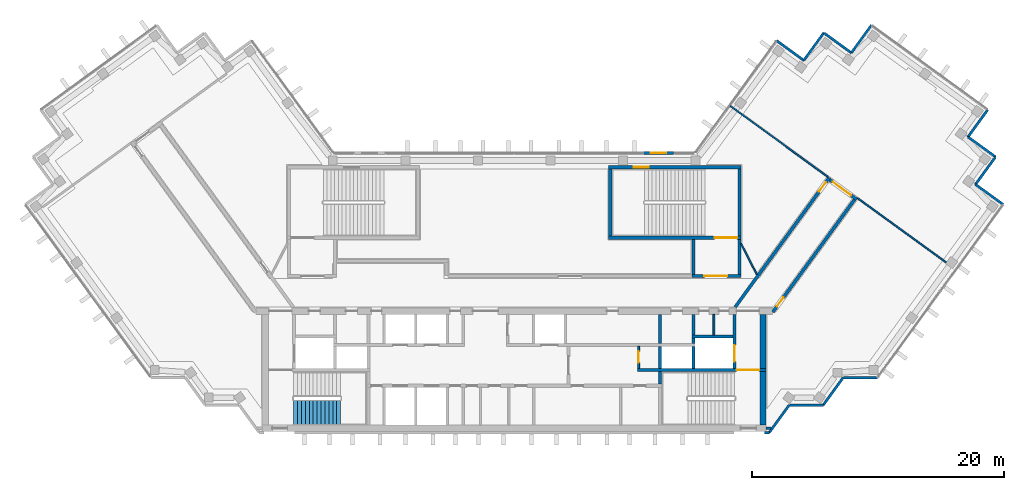
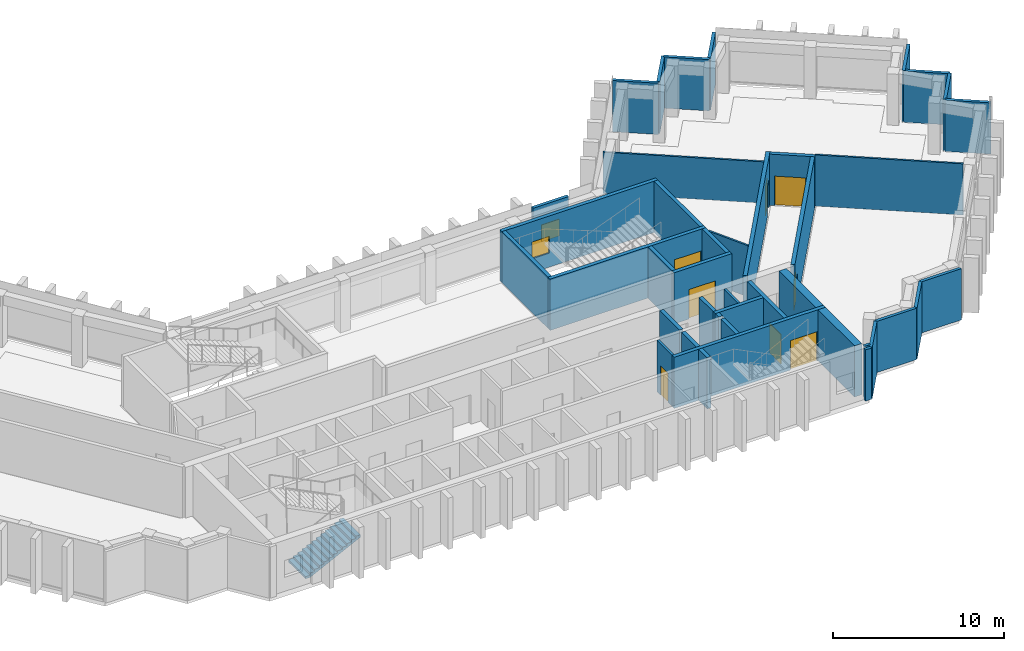
# One storey, part 6 of 9: 41 walls, 8 doors, 2 windows, 1 stair flight, 10 openings, 1 element without a shape of its own.
"""IFC4 building model written with IfcOpenShell, lengths in metres."""

from ifc_helpers import new_model, si_unit, direction, frame, frame_2d, origin, place, context, subcontext, project, spatial, polyline, rectangle, outline, extrude, material, layer, layer_set, type_object, element, fill, aggregate, save


model = new_model("IFC4")

# Units and contexts
model_context = context("Model", 3, precision=1e-05, world=origin(), true_north=direction((0.0, 1.0)))
body_context = subcontext(model_context, "Body", "Model", "MODEL_VIEW")
ifc_project = project(units=[si_unit("LENGTHUNIT", "METRE"), si_unit("AREAUNIT", "SQUARE_METRE"), si_unit("VOLUMEUNIT", "CUBIC_METRE"), si_unit("PLANEANGLEUNIT", "RADIAN"), si_unit("MASSUNIT", "GRAM", prefix="KILO")], contexts=[model_context])

# Site, building, storey
site_placement = place(None, origin())
site = spatial("IfcSite", under=ifc_project, at=site_placement, CompositionType="ELEMENT")
building_placement = place(site_placement, origin())
building = spatial("IfcBuilding", under=site, at=building_placement, Name="Quipu Civic Tower", CompositionType="ELEMENT")
storey_placement = place(building_placement, frame((0.0, 0.0, 307.0)))
storey = spatial("IfcBuildingStorey", under=building, at=storey_placement, Name="L71", CompositionType="ELEMENT", Elevation=307.0)

# Wall
ifc_material_1 = material(Name="Concrete C70/85", Category="concrete")
ifc_layer_1 = layer(ifc_material_1, 0.25)
ifc_layer_set_1 = layer_set([ifc_layer_1], Name="Concrete C70/85")
wall_type_1 = type_object("IfcWallType", Name="Core wall 250", PredefinedType="SHEAR", material=ifc_layer_set_1)
wall_1_placement = place(storey_placement, frame((11.574951171875, -7.25, 0.0), z_axis=(0.0, 0.0, 1.0), x_axis=(0.0, 1.0, 0.0)))
element("IfcWall", 1, at=wall_1_placement, inside=storey, type_object=wall_type_1, Name="Core wall", PredefinedType="SHEAR", context=body_context, shape_type="SweptSolid", body=[
    extrude(rectangle(XDim=1.0, YDim=0.25, at=frame_2d((0.5, 0.0))), origin(), (0.0, 0.0, 1.0), 3.64990234375),
])

# Wall, opening, door
wall_2_placement = place(storey_placement, frame((20.0, -6.125, 0.0), z_axis=(0.0, 0.0, 1.0), x_axis=(-1.0, 0.0, 0.0)))
wall_2 = element("IfcWall", 2, at=wall_2_placement, inside=storey, type_object=wall_type_1, Name="Core wall", PredefinedType="SHEAR", context=body_context, shape_type="SweptSolid", body=[
    extrude(rectangle(XDim=10.199951171875, YDim=0.25, at=frame_2d((5.10009765625, 0.0))), origin(), (0.0, 0.0, 1.0), 3.64990234375),
])
opening_1_placement = place(wall_2_placement, frame((0.550048828125, 0.0, 0.0)))
opening_1 = element("IfcOpeningElement", 3, at=opening_1_placement, cuts=wall_2, Name="Opening CD-09", PredefinedType="OPENING", context=body_context, shape_type="SweptSolid", body=[
    extrude(rectangle(XDim=1.800048828125, YDim=2.10009765625, at=frame_2d((0.89990234375, 1.050048828125))), frame((0.0, 0.135009765625, 0.0), z_axis=(0.0, -1.0, 0.0), x_axis=(1.0, 0.0, 0.0)), (0.0, 0.0, 1.0), 0.27001953125),
])
ifc_material_2 = material(Name="Fire rated steel door", Category="steel")
door_type_1 = type_object("IfcDoorType", Name="Fire door FD90 double 1800 x 2100", OperationType="NOTDEFINED", PredefinedType="DOOR", material=ifc_material_2)
door_1_placement = place(opening_1_placement, origin())
door_1 = element("IfcDoor", 4, at=door_1_placement, inside=storey, type_object=door_type_1, Name="Door", OperationType="DOUBLE_DOOR_SINGLE_SWING", OverallHeight=2.10009765625, OverallWidth=1.800048828125, PredefinedType="DOOR", context=body_context, shape_type="SweptSolid", body=[
    extrude(rectangle(XDim=1.800048828125, YDim=2.10009765625, at=frame_2d((0.89990234375, 1.050048828125))), frame((0.0, 0.02490234375, 0.0), z_axis=(0.0, -1.0, 0.0), x_axis=(1.0, 0.0, 0.0)), (0.0, 0.0, 1.0), 0.050048828125),
])
fill(opening_1, door_1)

# Walls
for number, where, z_axis, x_axis, name in (
    (5, (11.574951171875, -6.0, 0.0), (0.0, 0.0, 1.0), (0.0, 1.0, 0.0), "Core wall"),
    (6, (14.22509765625, -6.0, 0.0), (0.0, 0.0, 1.0), (0.0, 1.0, 0.0), "Core wall"),
):
    element("IfcWall", number, at=place(storey_placement, frame(where, z_axis=z_axis, x_axis=x_axis)), inside=storey, type_object=wall_type_1, Name=name, PredefinedType="SHEAR", context=body_context, shape_type="SweptSolid", body=[
        extrude(rectangle(XDim=1.75, YDim=0.25, at=frame_2d((0.875, 0.0))), origin(), (0.0, 0.0, 1.0), 3.64990234375),
    ])

# Wall, opening, door
wall_3_placement = place(storey_placement, frame((17.47509765625, -6.0, 0.0), z_axis=(0.0, 0.0, 1.0), x_axis=(0.0, 1.0, 0.0)))
wall_3 = element("IfcWall", 7, at=wall_3_placement, inside=storey, type_object=wall_type_1, Name="Core wall", PredefinedType="SHEAR", context=body_context, shape_type="SweptSolid", body=[
    extrude(rectangle(XDim=4.300048828125, YDim=0.25, at=frame_2d((2.14990234375, 0.0))), origin(), (0.0, 0.0, 1.0), 3.64990234375),
])
opening_2_placement = place(wall_3_placement, frame((0.550048828125, 0.0, 0.0)))
opening_2 = element("IfcOpeningElement", 8, at=opening_2_placement, cuts=wall_3, Name="Opening LD-FF2", PredefinedType="OPENING", context=body_context, shape_type="SweptSolid", body=[
    extrude(rectangle(XDim=1.300048828125, YDim=2.10009765625, at=frame_2d((0.64990234375, 1.050048828125))), frame((0.0, 0.135009765625, 0.0), z_axis=(0.0, -1.0, 0.0), x_axis=(1.0, 0.0, 0.0)), (0.0, 0.0, 1.0), 0.27001953125),
])
ifc_material_3 = material(Name="Stainless steel", Category="steel")
door_type_2 = type_object("IfcDoorType", Name="Lift landing door 1300 x 2100", OperationType="DOUBLE_DOOR_SLIDING", PredefinedType="DOOR", material=ifc_material_3)
door_2_placement = place(opening_2_placement, origin())
door_2 = element("IfcDoor", 9, at=door_2_placement, inside=storey, type_object=door_type_2, Name="Landing door FF2", OperationType="DOUBLE_DOOR_SLIDING", OverallHeight=2.10009765625, OverallWidth=1.300048828125, PredefinedType="DOOR", context=body_context, shape_type="SweptSolid", body=[
    extrude(rectangle(XDim=1.300048828125, YDim=2.10009765625, at=frame_2d((0.64990234375, 1.050048828125))), frame((0.0, 0.02490234375, 0.0), z_axis=(0.0, -1.0, 0.0), x_axis=(1.0, 0.0, 0.0)), (0.0, 0.0, 1.0), 0.050048828125),
])
fill(opening_2, door_2)

# Walls
wall_4_placement = place(storey_placement, frame((11.574951171875, -4.0, 0.0), z_axis=(0.0, 0.0, 1.0), x_axis=(0.0, 1.0, 0.0)))
element("IfcWall", 10, at=wall_4_placement, inside=storey, type_object=wall_type_1, Name="Core wall", PredefinedType="SHEAR", context=body_context, shape_type="SweptSolid", body=[
    extrude(rectangle(XDim=2.300048828125, YDim=0.25, at=frame_2d((1.14990234375, 0.0))), origin(), (0.0, 0.0, 1.0), 3.64990234375),
])
wall_5_placement = place(storey_placement, frame((14.22509765625, -4.0, 0.0), z_axis=(0.0, 0.0, 1.0), x_axis=(0.0, 1.0, 0.0)))
element("IfcWall", 11, at=wall_5_placement, inside=storey, type_object=wall_type_1, Name="Core wall", PredefinedType="SHEAR", context=body_context, shape_type="SweptSolid", body=[
    extrude(rectangle(XDim=0.39990234375, YDim=0.25, at=frame_2d((0.199951171875, 0.0))), origin(), (0.0, 0.0, 1.0), 3.64990234375),
])
wall_6_placement = place(storey_placement, frame((14.10009765625, -3.47509765625, 0.0), z_axis=(0.0, 0.0, 1.0), x_axis=(1.0, 0.0, 0.0)))
element("IfcWall", 12, at=wall_6_placement, inside=storey, type_object=wall_type_1, Name="Core wall", PredefinedType="SHEAR", context=body_context, shape_type="SweptSolid", body=[
    extrude(rectangle(XDim=3.25, YDim=0.25, at=frame_2d((1.625, 0.0))), origin(), (0.0, 0.0, 1.0), 3.64990234375),
])
wall_7_placement = place(storey_placement, frame((14.22509765625, -3.35009765625, 0.0), z_axis=(0.0, 0.0, 1.0), x_axis=(0.0, 1.0, 0.0)))
element("IfcWall", 13, at=wall_7_placement, inside=storey, type_object=wall_type_1, Name="Core wall", PredefinedType="SHEAR", context=body_context, shape_type="SweptSolid", body=[
    extrude(rectangle(XDim=1.650146484375, YDim=0.25, at=frame_2d((0.8251953125, 0.0))), origin(), (0.0, 0.0, 1.0), 3.64990234375),
])

# Wall, opening, door
wall_8_placement = place(storey_placement, frame((14.10009765625, 1.324951171875, 0.0), z_axis=(0.0, 0.0, 1.0), x_axis=(1.0, 0.0, 0.0)))
wall_8 = element("IfcWall", 14, at=wall_8_placement, inside=storey, type_object=wall_type_1, Name="Core wall", PredefinedType="SHEAR", context=body_context, shape_type="SweptSolid", body=[
    extrude(rectangle(XDim=3.89990234375, YDim=0.25, at=frame_2d((1.949951171875, 0.0))), origin(), (0.0, 0.0, 1.0), 3.64990234375),
])
opening_3_placement = place(wall_8_placement, frame((1.0, 0.0, 0.0)))
opening_3 = element("IfcOpeningElement", 15, at=opening_3_placement, cuts=wall_8, Name="Opening CD-26", PredefinedType="OPENING", context=body_context, shape_type="SweptSolid", body=[
    extrude(rectangle(XDim=1.800048828125, YDim=2.10009765625, at=frame_2d((0.89990234375, 1.050048828125))), frame((0.0, 0.135009765625, 0.0), z_axis=(0.0, -1.0, 0.0), x_axis=(1.0, 0.0, 0.0)), (0.0, 0.0, 1.0), 0.27001953125),
])
door_3_placement = place(opening_3_placement, origin())
door_3 = element("IfcDoor", 16, at=door_3_placement, inside=storey, type_object=door_type_1, Name="Lobby door", OperationType="DOUBLE_DOOR_SINGLE_SWING", OverallHeight=2.10009765625, OverallWidth=1.800048828125, PredefinedType="DOOR", context=body_context, shape_type="SweptSolid", body=[
    extrude(rectangle(XDim=1.800048828125, YDim=2.10009765625, at=frame_2d((0.89990234375, 1.050048828125))), frame((0.0, 0.02490234375, 0.0), z_axis=(0.0, -1.0, 0.0), x_axis=(1.0, 0.0, 0.0)), (0.0, 0.0, 1.0), 0.050048828125),
])
fill(opening_3, door_3)

# Walls
for number, where, z_axis, x_axis, name in (
    (17, (14.22509765625, 1.449951171875, 0.0), (0.0, 0.0, 1.0), (0.0, 1.0, 0.0), "Core wall"),
    (18, (17.875, 1.449951171875, 0.0), (0.0, 0.0, 1.0), (0.0, 1.0, 0.0), "Core wall"),
):
    element("IfcWall", number, at=place(storey_placement, frame(where, z_axis=z_axis, x_axis=x_axis)), inside=storey, type_object=wall_type_1, Name=name, PredefinedType="SHEAR", context=body_context, shape_type="SweptSolid", body=[
        extrude(rectangle(XDim=2.800048828125, YDim=0.25, at=frame_2d((1.39990234375, 0.0))), origin(), (0.0, 0.0, 1.0), 3.64990234375),
    ])

# Wall, opening, door
wall_9_placement = place(storey_placement, frame((7.5, 4.375, 0.0), z_axis=(0.0, 0.0, 1.0), x_axis=(1.0, 0.0, 0.0)))
wall_9 = element("IfcWall", 19, at=wall_9_placement, inside=storey, type_object=wall_type_1, Name="Core wall", PredefinedType="SHEAR", context=body_context, shape_type="SweptSolid", body=[
    extrude(rectangle(XDim=10.5, YDim=0.25, at=frame_2d((5.25, 0.0))), origin(), (0.0, 0.0, 1.0), 3.64990234375),
])
opening_4_placement = place(wall_9_placement, frame((8.39990234375, 0.0, 0.0)))
opening_4 = element("IfcOpeningElement", 20, at=opening_4_placement, cuts=wall_9, Name="Opening CD-27", PredefinedType="OPENING", context=body_context, shape_type="SweptSolid", body=[
    extrude(rectangle(XDim=1.800048828125, YDim=2.10009765625, at=frame_2d((0.89990234375, 1.050048828125))), frame((0.0, 0.135009765625, 0.0), z_axis=(0.0, -1.0, 0.0), x_axis=(1.0, 0.0, 0.0)), (0.0, 0.0, 1.0), 0.27001953125),
])
door_4_placement = place(opening_4_placement, origin())
door_4 = element("IfcDoor", 21, at=door_4_placement, inside=storey, type_object=door_type_1, Name="Door", OperationType="DOUBLE_DOOR_SINGLE_SWING", OverallHeight=2.10009765625, OverallWidth=1.800048828125, PredefinedType="DOOR", context=body_context, shape_type="SweptSolid", body=[
    extrude(rectangle(XDim=1.800048828125, YDim=2.10009765625, at=frame_2d((0.89990234375, 1.050048828125))), frame((0.0, 0.02490234375, 0.0), z_axis=(0.0, -1.0, 0.0), x_axis=(1.0, 0.0, 0.0)), (0.0, 0.0, 1.0), 0.050048828125),
])
fill(opening_4, door_4)

# Walls
for number, where, z_axis, x_axis, name in (
    (22, (7.625, 4.5, 0.0), (0.0, 0.0, 1.0), (0.0, 1.0, 0.0), "Core wall"),
    (23, (17.875, 4.5, 0.0), (0.0, 0.0, 1.0), (0.0, 1.0, 0.0), "Core wall"),
):
    element("IfcWall", number, at=place(storey_placement, frame(where, z_axis=z_axis, x_axis=x_axis)), inside=storey, type_object=wall_type_1, Name=name, PredefinedType="SHEAR", context=body_context, shape_type="SweptSolid", body=[
        extrude(rectangle(XDim=5.35009765625, YDim=0.25, at=frame_2d((2.675048828125, 0.0))), origin(), (0.0, 0.0, 1.0), 3.64990234375),
    ])

# Wall, opening, window
wall_10_placement = place(storey_placement, frame((7.5, 9.97509765625, 0.0), z_axis=(0.0, 0.0, 1.0), x_axis=(1.0, 0.0, 0.0)))
wall_10 = element("IfcWall", 24, at=wall_10_placement, inside=storey, type_object=wall_type_1, Name="Core wall", PredefinedType="SHEAR", context=body_context, shape_type="SweptSolid", body=[
    extrude(rectangle(XDim=10.5, YDim=0.25, at=frame_2d((5.25, 0.0))), origin(), (0.0, 0.0, 1.0), 3.64990234375),
])
opening_5_placement = place(wall_10_placement, frame((2.0, 0.0, 1.0)))
opening_5 = element("IfcOpeningElement", 25, at=opening_5_placement, cuts=wall_10, Name="Opening SV-4", PredefinedType="OPENING", context=body_context, shape_type="SweptSolid", body=[
    extrude(rectangle(XDim=1.199951171875, YDim=1.199951171875, at=frame_2d((0.60009765625, 0.60009765625))), frame((0.0, 0.135009765625, 0.0), z_axis=(0.0, -1.0, 0.0), x_axis=(1.0, 0.0, 0.0)), (0.0, 0.0, 1.0), 0.27001953125),
])
ifc_material_4 = material(Name="Aluminium louvre", Category="aluminium")
window_type_1 = type_object("IfcWindowType", Name="Stair ventilation louvre 1200 x 1200", PartitioningType="SINGLE_PANEL", PredefinedType="WINDOW", material=ifc_material_4)
window_1_placement = place(opening_5_placement, origin())
window_1 = element("IfcWindow", 26, at=window_1_placement, inside=storey, type_object=window_type_1, Name="Stair ventilation opening", OverallHeight=1.199951171875, OverallWidth=1.199951171875, PartitioningType="SINGLE_PANEL", PredefinedType="WINDOW", context=body_context, shape_type="SweptSolid", body=[
    extrude(rectangle(XDim=1.199951171875, YDim=1.199951171875, at=frame_2d((0.60009765625, 0.60009765625))), frame((0.0, 0.030029296875, 0.0), z_axis=(0.0, -1.0, 0.0), x_axis=(1.0, 0.0, 0.0)), (0.0, 0.0, 1.0), 0.06005859375),
])
fill(opening_5, window_1)

# Walls
ifc_material_5 = material(Name="Concrete C70/85", Category="concrete")
ifc_layer_2 = layer(ifc_material_5, 0.5)
ifc_layer_set_2 = layer_set([ifc_layer_2], Name="Concrete C70/85")
wall_type_2 = type_object("IfcWallType", Name="Core wall 500", PredefinedType="SHEAR", material=ifc_layer_set_2)
wall_11_placement = place(storey_placement, frame((19.75, -10.5, 0.0), z_axis=(0.0, 0.0, 1.0), x_axis=(0.0, 1.0, 0.0)))
element("IfcWall", 27, at=wall_11_placement, inside=storey, type_object=wall_type_2, Name="Core wall", PredefinedType="SHEAR", context=body_context, shape_type="SweptSolid", body=[
    extrude(rectangle(XDim=4.25, YDim=0.5, at=frame_2d((2.125, 0.0))), origin(), (0.0, 0.0, 1.0), 3.64990234375),
])
wall_12_placement = place(storey_placement, frame((19.75, -6.0, 0.0), z_axis=(0.0, 0.0, 1.0), x_axis=(0.0, 1.0, 0.0)))
element("IfcWall", 28, at=wall_12_placement, inside=storey, type_object=wall_type_2, Name="Core wall", PredefinedType="SHEAR", context=body_context, shape_type="SweptSolid", body=[
    extrude(rectangle(XDim=4.300048828125, YDim=0.5, at=frame_2d((2.14990234375, 0.0))), origin(), (0.0, 0.0, 1.0), 3.64990234375),
])

# Wall, opening, door
ifc_material_6 = material(Name="Concrete C50/60", Category="concrete")
ifc_layer_3 = layer(ifc_material_6, 0.25)
ifc_layer_set_3 = layer_set([ifc_layer_3], Name="Concrete C50/60")
wall_type_3 = type_object("IfcWallType", Name="Corridor wall 250 concrete", PredefinedType="SOLIDWALL", material=ifc_layer_set_3)
wall_13_placement = place(storey_placement, frame((17.544921875, -1.124755859375, 0.0), z_axis=(0.0, 0.0, 1.0), x_axis=(0.587796810203, 0.809008596935, 0.0)))
wall_13 = element("IfcWall", 29, at=wall_13_placement, inside=storey, type_object=wall_type_3, Name="Corridor wall C01", PredefinedType="SOLIDWALL", context=body_context, shape_type="SweptSolid", body=[
    extrude(rectangle(XDim=12.703125, YDim=0.25, at=frame_2d((6.3515625, 0.0))), origin(), (0.0, 0.0, 1.0), 3.64990234375),
])
opening_6_placement = place(wall_13_placement, frame((11.32861328125, 0.0, 0.0)))
opening_6 = element("IfcOpeningElement", 30, at=opening_6_placement, cuts=wall_13, Name="Opening D001", PredefinedType="OPENING", context=body_context, shape_type="SweptSolid", body=[
    extrude(rectangle(XDim=0.89990234375, YDim=2.10009765625, at=frame_2d((0.449951171875, 1.050048828125))), frame((0.0, 0.135009765625, 0.0), z_axis=(0.0, -1.0, 0.0), x_axis=(1.0, 0.0, 0.0)), (0.0, 0.0, 1.0), 0.27001953125),
])
ifc_material_7 = material(Name="Fire rated timber door set with metal frame", Category="wood")
door_type_3 = type_object("IfcDoorType", Name="Single door 900 x 2100 FD60", OperationType="NOTDEFINED", PredefinedType="DOOR", material=ifc_material_7)
door_5_placement = place(opening_6_placement, origin())
door_5 = element("IfcDoor", 31, at=door_5_placement, inside=storey, type_object=door_type_3, Name="Door D001", OperationType="SINGLE_SWING_RIGHT", OverallHeight=2.10009765625, OverallWidth=0.89990234375, PredefinedType="DOOR", context=body_context, shape_type="SweptSolid", body=[
    extrude(rectangle(XDim=0.89990234375, YDim=2.10009765625, at=frame_2d((0.449951171875, 1.050048828125))), frame((0.0, 0.02490234375, 0.0), z_axis=(0.0, -1.0, 0.0), x_axis=(1.0, 0.0, 0.0)), (0.0, 0.0, 1.0), 0.050048828125),
])
fill(opening_6, door_5)

wall_14_placement = place(storey_placement, frame((25.039306640625, 8.9775390625, 0.0), z_axis=(0.0, 0.0, 1.0), x_axis=(0.809006914995, -0.587799125119, 0.0)))
wall_14 = element("IfcWall", 32, at=wall_14_placement, inside=storey, type_object=wall_type_3, Name="Corridor wall C02", PredefinedType="SOLIDWALL", context=body_context, shape_type="SweptSolid", body=[
    extrude(rectangle(XDim=2.64990234375, YDim=0.25, at=frame_2d((1.324951171875, 0.0))), origin(), (0.0, 0.0, 1.0), 3.64990234375),
])
opening_7_placement = place(wall_14_placement, frame((0.300537109375, 0.0, 0.0)))
opening_7 = element("IfcOpeningElement", 33, at=opening_7_placement, cuts=wall_14, Name="Opening D003", PredefinedType="OPENING", context=body_context, shape_type="SweptSolid", body=[
    extrude(rectangle(XDim=1.800048828125, YDim=2.10009765625, at=frame_2d((0.89990234375, 1.050048828125))), frame((0.0, 0.135009765625, 0.0), z_axis=(0.0, -1.0, 0.0), x_axis=(1.0, 0.0, 0.0)), (0.0, 0.0, 1.0), 0.27001953125),
])
ifc_material_8 = material(Name="Fire rated timber door set with metal frame", Category="wood")
door_type_4 = type_object("IfcDoorType", Name="Double door 1800 x 2100 FD60", OperationType="DOUBLE_DOOR_SINGLE_SWING", PredefinedType="DOOR", material=ifc_material_8)
door_6_placement = place(opening_7_placement, origin())
door_6 = element("IfcDoor", 34, at=door_6_placement, inside=storey, type_object=door_type_4, Name="Door D003", OperationType="DOUBLE_DOOR_SINGLE_SWING", OverallHeight=2.10009765625, OverallWidth=1.800048828125, PredefinedType="DOOR", context=body_context, shape_type="SweptSolid", body=[
    extrude(rectangle(XDim=1.800048828125, YDim=2.10009765625, at=frame_2d((0.89990234375, 1.050048828125))), frame((0.0, 0.02490234375, 0.0), z_axis=(0.0, -1.0, 0.0), x_axis=(1.0, 0.0, 0.0)), (0.0, 0.0, 1.0), 0.050048828125),
])
fill(opening_7, door_6)

wall_15_placement = place(storey_placement, frame((27.008544921875, 7.392333984375, 0.0), z_axis=(0.0, 0.0, 1.0), x_axis=(-0.587776457057, -0.809023384414, 0.0)))
wall_15 = element("IfcWall", 35, at=wall_15_placement, inside=storey, type_object=wall_type_3, Name="Corridor wall C03", PredefinedType="SOLIDWALL", context=body_context, shape_type="SweptSolid", body=[
    extrude(rectangle(XDim=11.0205078125, YDim=0.25, at=frame_2d((5.51025390625, 0.0))), origin(), (0.0, 0.0, 1.0), 3.64990234375),
])
opening_8_placement = place(wall_15_placement, frame((9.587646484375, 0.0, 0.0)))
opening_8 = element("IfcOpeningElement", 36, at=opening_8_placement, cuts=wall_15, Name="Opening D002", PredefinedType="OPENING", context=body_context, shape_type="SweptSolid", body=[
    extrude(rectangle(XDim=0.89990234375, YDim=2.10009765625, at=frame_2d((0.449951171875, 1.050048828125))), frame((0.0, 0.135009765625, 0.0), z_axis=(0.0, -1.0, 0.0), x_axis=(1.0, 0.0, 0.0)), (0.0, 0.0, 1.0), 0.27001953125),
])
door_7_placement = place(opening_8_placement, origin())
door_7 = element("IfcDoor", 37, at=door_7_placement, inside=storey, type_object=door_type_3, Name="Door D002", OperationType="SINGLE_SWING_RIGHT", OverallHeight=2.10009765625, OverallWidth=0.89990234375, PredefinedType="DOOR", context=body_context, shape_type="SweptSolid", body=[
    extrude(rectangle(XDim=0.89990234375, YDim=2.10009765625, at=frame_2d((0.449951171875, 1.050048828125))), frame((0.0, 0.02490234375, 0.0), z_axis=(0.0, -1.0, 0.0), x_axis=(1.0, 0.0, 0.0)), (0.0, 0.0, 1.0), 0.050048828125),
])
fill(opening_8, door_7)

# Walls
ifc_material_9 = material(Name="Gypsum plasterboard on light gauge framing")
ifc_layer_4 = layer(ifc_material_9, 0.1201171875)
ifc_layer_set_4 = layer_set([ifc_layer_4], Name="Gypsum plasterboard on light gauge framing")
wall_type_4 = type_object("IfcWallType", Name="Partition 120 plasterboard", PredefinedType="PARTITIONING", material=ifc_layer_set_4)
wall_16_placement = place(storey_placement, frame((24.89794921875, 9.20947265625, 0.0), z_axis=(0.0, 0.0, 1.0), x_axis=(-0.809013490065, 0.587790075531, 0.0)))
element("IfcWall", 38, at=wall_16_placement, inside=storey, type_object=wall_type_4, Name="Partition P01", PredefinedType="PARTITIONING", context=body_context, shape_type="SweptSolid", body=[
    extrude(rectangle(XDim=9.54931640625, YDim=0.1201171875, at=frame_2d((4.774658203125, 0.0))), origin(), (0.0, 0.0, 1.0), 2.949951171875),
])
wall_17_placement = place(storey_placement, frame((27.240478515625, 7.532470703125, 0.0), z_axis=(0.0, 0.0, 1.0), x_axis=(0.809027940177, -0.587770186393, 0.0)))
element("IfcWall", 39, at=wall_17_placement, inside=storey, type_object=wall_type_4, Name="Partition P04", PredefinedType="PARTITIONING", context=body_context, shape_type="SweptSolid", body=[
    extrude(rectangle(XDim=8.71484375, YDim=0.1201171875, at=frame_2d((4.357421875, 0.0))), origin(), (0.0, 0.0, 1.0), 3.64990234375),
])
wall_18_placement = place(storey_placement, frame((18.0, 3.925048828125, 0.0), z_axis=(0.0, 0.0, 1.0), x_axis=(0.453950796792, -0.891026752736, 0.0)))
element("IfcWall", 40, at=wall_18_placement, inside=storey, type_object=wall_type_4, Name="Partition P05", PredefinedType="PARTITIONING", context=body_context, shape_type="SweptSolid", body=[
    extrude(rectangle(XDim=2.77783203125, YDim=0.1201171875, at=frame_2d((1.388916015625, 0.0))), origin(), (0.0, 0.0, 1.0), 3.64990234375),
])

# Wall, opening, door
ifc_material_10 = material(Name="Gypsum board partition")
ifc_layer_5 = layer(ifc_material_10, 0.14990234375)
ifc_layer_set_5 = layer_set([ifc_layer_5], Name="Gypsum board partition")
wall_type_5 = type_object("IfcWallType", Name="Partition 150", PredefinedType="PARTITIONING", material=ifc_layer_set_5)
wall_19_placement = place(storey_placement, frame((9.875, -6.0, 0.0), z_axis=(0.0, 0.0, 1.0), x_axis=(0.0, 1.0, 0.0)))
wall_19 = element("IfcWall", 41, at=wall_19_placement, inside=storey, type_object=wall_type_5, Name="Partition", PredefinedType="PARTITIONING", context=body_context, shape_type="SweptSolid", body=[
    extrude(rectangle(XDim=1.75, YDim=0.14990234375, at=frame_2d((0.875, 0.0))), origin(), (0.0, 0.0, 1.0), 3.64990234375),
])
opening_9_placement = place(wall_19_placement, frame((0.449951171875, 0.0, 0.0)))
opening_9 = element("IfcOpeningElement", 42, at=opening_9_placement, cuts=wall_19, Name="Opening CD-11", PredefinedType="OPENING", context=body_context, shape_type="SweptSolid", body=[
    extrude(rectangle(XDim=0.89990234375, YDim=2.10009765625, at=frame_2d((0.449951171875, 1.050048828125))), frame((0.0, 0.0849609375, 0.0), z_axis=(0.0, -1.0, 0.0), x_axis=(1.0, 0.0, 0.0)), (0.0, 0.0, 1.0), 0.169921875),
])
ifc_material_11 = material(Name="Fire rated steel door", Category="steel")
door_type_5 = type_object("IfcDoorType", Name="Fire door FD60 900 x 2100", OperationType="NOTDEFINED", PredefinedType="DOOR", material=ifc_material_11)
door_8_placement = place(opening_9_placement, origin())
door_8 = element("IfcDoor", 43, at=door_8_placement, inside=storey, type_object=door_type_5, Name="Door", OperationType="SINGLE_SWING_RIGHT", OverallHeight=2.10009765625, OverallWidth=0.89990234375, PredefinedType="DOOR", context=body_context, shape_type="SweptSolid", body=[
    extrude(rectangle(XDim=0.89990234375, YDim=2.10009765625, at=frame_2d((0.449951171875, 1.050048828125))), frame((0.0, 0.02490234375, 0.0), z_axis=(0.0, -1.0, 0.0), x_axis=(1.0, 0.0, 0.0)), (0.0, 0.0, 1.0), 0.050048828125),
])
fill(opening_9, door_8)

# Walls
wall_20_placement = place(storey_placement, frame((15.85009765625, -3.35009765625, 0.0), z_axis=(0.0, 0.0, 1.0), x_axis=(0.0, 1.0, 0.0)))
element("IfcWall", 44, at=wall_20_placement, inside=storey, type_object=wall_type_5, Name="Partition", PredefinedType="PARTITIONING", context=body_context, shape_type="SweptSolid", body=[
    extrude(rectangle(XDim=1.650146484375, YDim=0.14990234375, at=frame_2d((0.8251953125, 0.0))), origin(), (0.0, 0.0, 1.0), 3.64990234375),
])
ifc_material_12 = material(Name="Precast concrete C40/50", Category="concrete")
wall_type_6 = type_object("IfcWallType", Name="Precast cladding wall", PredefinedType="SOLIDWALL", material=ifc_material_12)
for number, where, z_axis, x_axis, name in (
    (45, (38.813720703125, 7.010498046875, 0.0), (0.0, 0.0, 1.0), (-0.809033161865, 0.587762999008, 0.0), "Precast cladding wall L71 2"),
    (46, (36.60205078125, 8.580322265625, 0.0), (0.0, 0.0, 1.0), (0.587822180636, 0.808990163075, 0.0), "Precast cladding wall L71 3"),
    (47, (38.21630859375, 10.78173828125, 0.0), (0.0, 0.0, 1.0), (-0.809033161865, 0.587762999008, 0.0), "Precast cladding wall L71 4"),
    (48, (36.0048828125, 12.3515625, 0.0), (0.0, 0.0, 1.0), (0.587762999008, 0.809033161865, 0.0), "Precast cladding wall L71 5"),
):
    element("IfcWall", number, at=place(storey_placement, frame(where, z_axis=z_axis, x_axis=x_axis)), inside=storey, type_object=wall_type_6, Name=name, PredefinedType="SOLIDWALL", context=body_context, shape_type="SweptSolid", body=[
        extrude(rectangle(XDim=2.699951171875, YDim=0.199951171875, at=frame_2d((1.35009765625, 0.0))), origin(), (0.0, 0.0, 1.0), 3.64990234375),
    ])
for number, where, z_axis, x_axis, name in (
    (49, (28.3544921875, 21.247314453125, 0.0), (0.0, 0.0, 1.0), (-0.587720002413, -0.809064397168, 0.0), "Precast cladding wall L71 7"),
    (50, (26.78466796875, 19.03564453125, 0.0), (0.0, 0.0, 1.0), (-0.809064397168, 0.587720002413, 0.0), "Precast cladding wall L71 8"),
):
    element("IfcWall", number, at=place(storey_placement, frame(where, z_axis=z_axis, x_axis=x_axis)), inside=storey, type_object=wall_type_6, Name=name, PredefinedType="SOLIDWALL", context=body_context, shape_type="SweptSolid", body=[
        extrude(rectangle(XDim=2.7001953125, YDim=0.199951171875, at=frame_2d((1.35009765625, 0.0))), origin(), (0.0, 0.0, 1.0), 3.64990234375),
    ])
for number, where, z_axis, x_axis, name in (
    (51, (24.583251953125, 20.64990234375, 0.0), (0.0, 0.0, 1.0), (-0.587762999008, -0.809033161865, 0.0), "Precast cladding wall L71 9"),
    (52, (23.01318359375, 18.438232421875, 0.0), (0.0, 0.0, 1.0), (-0.808990163075, 0.587822180636, 0.0), "Precast cladding wall L71 10"),
):
    element("IfcWall", number, at=place(storey_placement, frame(where, z_axis=z_axis, x_axis=x_axis)), inside=storey, type_object=wall_type_6, Name=name, PredefinedType="SOLIDWALL", context=body_context, shape_type="SweptSolid", body=[
        extrude(rectangle(XDim=2.699951171875, YDim=0.199951171875, at=frame_2d((1.35009765625, 0.0))), origin(), (0.0, 0.0, 1.0), 3.64990234375),
    ])

# Wall, opening, window
wall_21_placement = place(storey_placement, frame((12.655029296875, 11.10009765625, 0.0), z_axis=(0.0, 0.0, 1.0), x_axis=(-1.0, 0.0, 0.0)))
wall_21 = element("IfcWall", 53, at=wall_21_placement, inside=storey, type_object=wall_type_6, Name="Vent surround SF-L71-2", PredefinedType="SOLIDWALL", context=body_context, shape_type="SweptSolid", body=[
    extrude(rectangle(XDim=2.3916015625, YDim=0.199951171875, at=frame_2d((1.19580078125, 0.0))), origin(), (0.0, 0.0, 1.0), 3.64990234375),
])
opening_10_placement = place(wall_21_placement, frame((0.595703125, 0.0, 1.0)))
opening_10 = element("IfcOpeningElement", 54, at=opening_10_placement, cuts=wall_21, Name="Opening SF-L71-2", PredefinedType="OPENING", context=body_context, shape_type="SweptSolid", body=[
    extrude(rectangle(XDim=1.199951171875, YDim=1.199951171875, at=frame_2d((0.60009765625, 0.60009765625))), frame((0.0, 0.10986328125, 0.0), z_axis=(0.0, -1.0, 0.0), x_axis=(1.0, 0.0, 0.0)), (0.0, 0.0, 1.0), 0.219970703125),
])
ifc_material_13 = material(Name="Anodised aluminium louvre", Category="aluminium")
window_type_2 = type_object("IfcWindowType", Name="Stair vent louvre window P3", PartitioningType="SINGLE_PANEL", PredefinedType="WINDOW", material=ifc_material_13)
window_2_placement = place(opening_10_placement, origin())
window_2 = element("IfcWindow", 55, at=window_2_placement, inside=storey, type_object=window_type_2, Name="Stair vent louvre SF-L71-2", OverallHeight=1.199951171875, OverallWidth=1.199951171875, PartitioningType="SINGLE_PANEL", PredefinedType="WINDOW", context=body_context, shape_type="SweptSolid", body=[
    extrude(rectangle(XDim=1.199951171875, YDim=1.199951171875, at=frame_2d((0.60009765625, 0.60009765625))), frame((0.0, 0.030029296875, 0.0), z_axis=(0.0, -1.0, 0.0), x_axis=(1.0, 0.0, 0.0)), (0.0, 0.0, 1.0), 0.06005859375),
])
fill(opening_10, window_2)

# Walls
wall_22_placement = place(storey_placement, frame((19.85009765625, -11.087890625, 0.0), z_axis=(0.0, 0.0, 1.0), x_axis=(1.0, 0.0, 0.0)))
element("IfcWall", 56, at=wall_22_placement, inside=storey, type_object=wall_type_6, Name="Precast cladding wall L71 34", PredefinedType="SOLIDWALL", context=body_context, shape_type="SweptSolid", body=[
    extrude(rectangle(XDim=0.40576171875, YDim=0.199951171875, at=frame_2d((0.202880859375, 0.0))), origin(), (0.0, 0.0, 1.0), 3.64990234375),
])
wall_23_placement = place(storey_placement, frame((20.253173828125, -11.083251953125, 0.0), z_axis=(0.0, 0.0, 1.0), x_axis=(0.587766567315, 0.809030569476, 0.0)))
element("IfcWall", 57, at=wall_23_placement, inside=storey, type_object=wall_type_6, Name="Precast cladding wall L71 35", PredefinedType="SOLIDWALL", context=body_context, shape_type="SweptSolid", body=[
    extrude(rectangle(XDim=2.687744140625, YDim=0.199951171875, at=frame_2d((1.34375, 0.0))), origin(), (0.0, 0.0, 1.0), 3.64990234375),
])
wall_24_placement = place(storey_placement, frame((21.8427734375, -8.90380859375, 0.0), z_axis=(0.0, 0.0, 1.0), x_axis=(1.0, 0.0, 0.0)))
element("IfcWall", 58, at=wall_24_placement, inside=storey, type_object=wall_type_6, Name="Precast cladding wall L71 36", PredefinedType="SOLIDWALL", context=body_context, shape_type="SweptSolid", body=[
    extrude(rectangle(XDim=2.699951171875, YDim=0.199951171875, at=frame_2d((1.35009765625, 0.0))), origin(), (0.0, 0.0, 1.0), 3.64990234375),
])
wall_25_placement = place(storey_placement, frame((24.533203125, -8.90869140625, 0.0), z_axis=(0.0, 0.0, 1.0), x_axis=(0.587720002413, 0.809064397168, 0.0)))
element("IfcWall", 59, at=wall_25_placement, inside=storey, type_object=wall_type_6, Name="Precast cladding wall L71 37", PredefinedType="SOLIDWALL", context=body_context, shape_type="SweptSolid", body=[
    extrude(rectangle(XDim=2.7001953125, YDim=0.199951171875, at=frame_2d((1.35009765625, 0.0))), origin(), (0.0, 0.0, 1.0), 3.64990234375),
])
wall_26_placement = place(storey_placement, frame((26.1298828125, -6.71923828125, 0.0), z_axis=(0.0, 0.0, 1.0), x_axis=(1.0, 0.0, 0.0)))
element("IfcWall", 60, at=wall_26_placement, inside=storey, type_object=wall_type_6, Name="Precast cladding wall L71 38", PredefinedType="SOLIDWALL", context=body_context, shape_type="SweptSolid", body=[
    extrude(rectangle(XDim=2.699951171875, YDim=0.199951171875, at=frame_2d((1.35009765625, 0.0))), origin(), (0.0, 0.0, 1.0), 3.64990234375),
])
wall_27_placement = place(storey_placement, frame((19.97998046875, -10.75, 0.0), z_axis=(0.0, 0.0, 1.0), x_axis=(1.0, 0.0, 0.0)))
element("IfcWall", 61, at=wall_27_placement, inside=storey, type_object=wall_type_6, Name="Precast cladding return L71 E", PredefinedType="SOLIDWALL", context=body_context, shape_type="SweptSolid", body=[
    extrude(rectangle(XDim=0.41650390625, YDim=0.199951171875, at=frame_2d((0.208251953125, 0.0))), origin(), (0.0, 0.0, 1.0), 3.64990234375),
])

# Stair, stair flight
ifc_material_14 = material(Name="Concrete C40/50", Category="concrete")
stair_type = type_object("IfcStairType", Name="Half turn stair 2000", PredefinedType="HALF_TURN_STAIR", material=ifc_material_14)
stair_placement = place(storey_placement, origin())
stair = element("IfcStair", 62, at=stair_placement, inside=storey, type_object=stair_type, Name="Exit stair 1", PredefinedType="HALF_TURN_STAIR")
ifc_material_15 = material(Name="Concrete C40/50", Category="concrete")
stair_flight_type = type_object("IfcStairFlightType", Name="Stair flight 2000", PredefinedType="STRAIGHT", material=ifc_material_15)
stair_flight_placement = place(storey_placement, frame((-17.5, -9.5, 0.0), z_axis=(0.0, 0.0, 1.0), x_axis=(1.0, 0.0, 0.0)))
stair_flight = element("IfcStairFlight", 63, at=stair_flight_placement, type_object=stair_flight_type, Name="ST-1 flight 1", NumberOfRisers=13, NumberOfTreads=12, PredefinedType="STRAIGHT", RiserHeight=0.153846154, TreadLength=0.31, context=body_context, shape_type="SweptSolid", body=[
    extrude(outline(polyline([(0.0, 0.0), (0.0, 0.15380859375), (0.31005859375, 0.15380859375), (0.31005859375, 0.3076171875), (0.6201171875, 0.3076171875), (0.6201171875, 0.46142578125), (0.929931640625, 0.46142578125), (0.929931640625, 0.615478515625), (1.239990234375, 0.615478515625), (1.239990234375, 0.769287109375), (1.550048828125, 0.769287109375), (1.550048828125, 0.923095703125), (1.860107421875, 0.923095703125), (1.860107421875, 1.076904296875), (2.169921875, 1.076904296875), (2.169921875, 1.230712890625), (2.47998046875, 1.230712890625), (2.47998046875, 1.384521484375), (2.7900390625, 1.384521484375), (2.7900390625, 1.53857421875), (3.10009765625, 1.53857421875), (3.10009765625, 1.6923828125), (3.409912109375, 1.6923828125), (3.409912109375, 1.84619140625), (3.719970703125, 1.84619140625), (3.719970703125, 2.0), (3.719970703125, 1.6787109375), (0.337158203125, 0.0), (0.0, 0.0)])), frame((0.0, 1.0, 0.0), z_axis=(0.0, -1.0, 0.0), x_axis=(1.0, 0.0, 0.0)), (0.0, 0.0, 1.0), 2.0),
])
aggregate(stair, [stair_flight])

save(model, "model.ifc")
